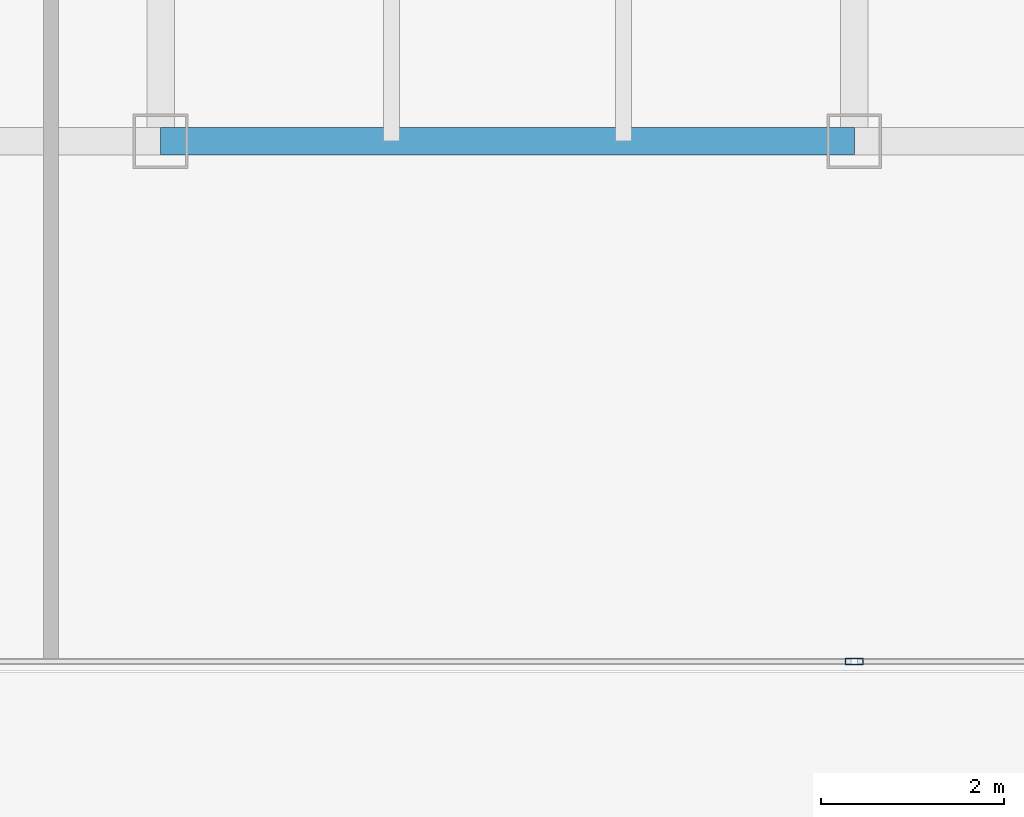
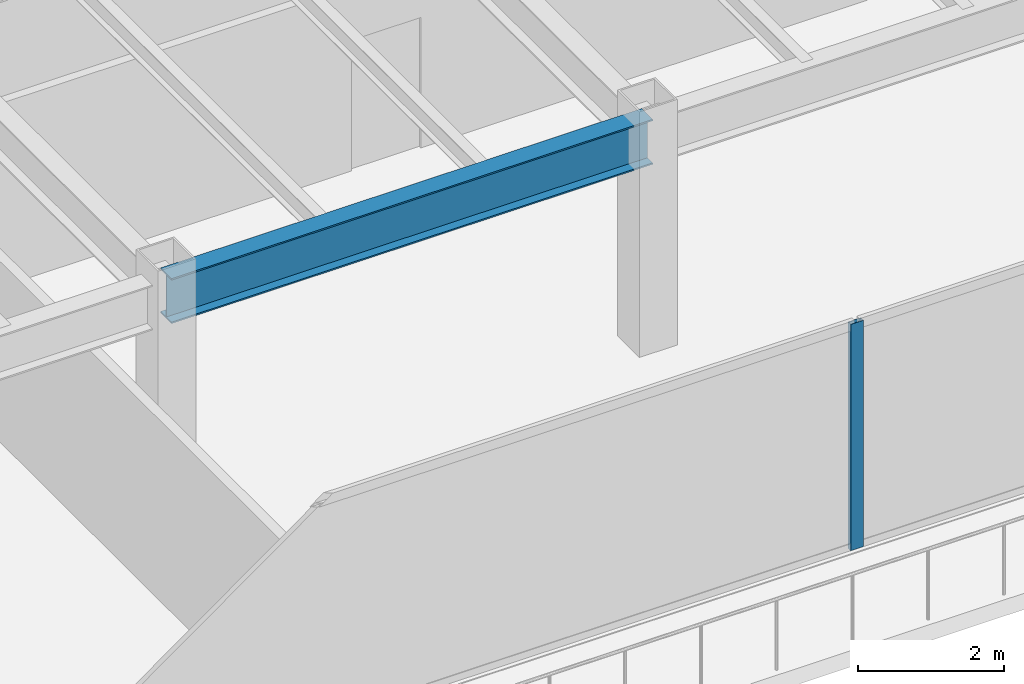
# One storey, part 8 of 36: 1 beam, 1 member, 1 element without a shape of its own.
"""IFC4 building model written with IfcOpenShell, lengths in metres."""

from ifc_helpers import new_model, si_unit, direction, frame, origin, origin_2d, place, context, subcontext, project, spatial, hollow_rectangle, i_section, extrude, source, transform, mapped, material, layer, layer_set, material_profile, profile_set, type_object, type_shapes, element, aggregate, save


model = new_model("IFC4")

# Units and contexts
model_context = context("Model", 3, precision=1e-05, world=origin(), true_north=direction((0.0, 1.0)))
body_context = subcontext(model_context, "Body", "Model", "MODEL_VIEW")
ifc_project = project(units=[si_unit("LENGTHUNIT", "METRE"), si_unit("AREAUNIT", "SQUARE_METRE"), si_unit("VOLUMEUNIT", "CUBIC_METRE"), si_unit("PLANEANGLEUNIT", "RADIAN"), si_unit("MASSUNIT", "GRAM", prefix="KILO")], contexts=[model_context])

# Site, building, storey
site_placement = place(None, origin())
site = spatial("IfcSite", under=ifc_project, at=site_placement, CompositionType="ELEMENT")
building_placement = place(site_placement, origin())
building = spatial("IfcBuilding", under=site, at=building_placement, Name="Haelvirn Gate Laboratories", CompositionType="ELEMENT")
storey_placement = place(building_placement, frame((0.0, 0.0, 25.199951171875)))
storey = spatial("IfcBuildingStorey", under=building, at=storey_placement, Name="L06", CompositionType="ELEMENT", Elevation=25.199951171875)

# Beam
ifc_material_1 = material(Name="Steel SM355", Category="steel")
ifc_material_profile_1 = material_profile(ifc_material_1, i_section(OverallWidth=0.300048828125, OverallDepth=0.75, WebThickness=0.013916015625, FlangeThickness=0.02392578125, at=origin_2d()), Name="H-750x300x14x24")
ifc_profile_set_1 = profile_set([ifc_material_profile_1], Name="Steel SM355")
beam_type = type_object("IfcBeamType", Name="BM-G-750", PredefinedType="BEAM", material=ifc_profile_set_1)
shared_shape_1 = source(origin(), body_context, "Body", "SweptSolid", [
    extrude(i_section(OverallWidth=0.300048828125, OverallDepth=0.75, WebThickness=0.013916015625, FlangeThickness=0.02392578125, at=origin_2d()), origin(), (0.0, 0.0, 1.0), 7.599853515625),
])
type_shapes(beam_type, [shared_shape_1])
beam_placement = place(storey_placement, frame((29.800048828125, 7.0, 3.405029296875), z_axis=(1.0, 0.0, 0.0), x_axis=(0.0, 1.0, 0.0)))
element("IfcBeam", 1, at=beam_placement, inside=storey, type_object=beam_type, Name="L06 Primary Girder Y7.0 (29.8-37.4)", PredefinedType="BEAM", context=body_context, shape_type="MappedRepresentation", body=[
    mapped(shared_shape_1, transform((0.0, 0.0, 0.0), scale=1.0)),
])

# Curtain wall, member
ifc_material_2 = material(Name="Anodised bronze unitised aluminium & triple low-E glass", Category="aluminium")
ifc_layer = layer(ifc_material_2, 0.18408203125, Name="CW-SYS-2")
ifc_layer_set = layer_set([ifc_layer], Name="Anodised bronze unitised aluminium & triple low-E glass")
curtain_wall_type = type_object("IfcCurtainWallType", Name="CW-SYS-2", PredefinedType="NOTDEFINED", material=ifc_layer_set)
curtain_wall_placement = place(storey_placement, origin())
curtain_wall = element("IfcCurtainWall", 2, at=curtain_wall_placement, inside=storey, type_object=curtain_wall_type, Name="L06 Unitised Curtain Wall CW-L06-P0-E02-1", PredefinedType="NOTDEFINED")
ifc_material_3 = material(Name="Extruded aluminium 6063-T6 (anodised bronze)", Category="aluminium")
ifc_material_profile_2 = material_profile(ifc_material_3, hollow_rectangle(XDim=0.074951171875, YDim=0.199951171875, WallThickness=0.0048828125, at=origin_2d()), Name="CWM-200x75x5")
ifc_profile_set_2 = profile_set([ifc_material_profile_2], Name="Extruded aluminium 6063-T6 (anodised bronze)")
member_type = type_object("IfcMemberType", Name="CWM-T200", PredefinedType="MULLION", material=ifc_profile_set_2)
shared_shape_2 = source(origin(), body_context, "Body", "SweptSolid", [
    extrude(hollow_rectangle(XDim=0.074951171875, YDim=0.199951171875, WallThickness=0.0048828125, at=origin_2d()), origin(), (0.0, 0.0, 1.0), 3.780029296875),
])
type_shapes(member_type, [shared_shape_2])
member_placement = place(storey_placement, frame((37.39990234375, 1.300048828125, 0.0), z_axis=(0.0, 0.0, 1.0), x_axis=(0.0, 1.0, 0.0)))
member = element("IfcMember", 3, at=member_placement, type_object=member_type, Name="CW2 mullion 2", PredefinedType="MULLION", context=body_context, shape_type="MappedRepresentation", body=[
    mapped(shared_shape_2, transform((0.0, 0.0, 0.0), scale=1.0)),
])
aggregate(curtain_wall, [member])

save(model, "model.ifc")
